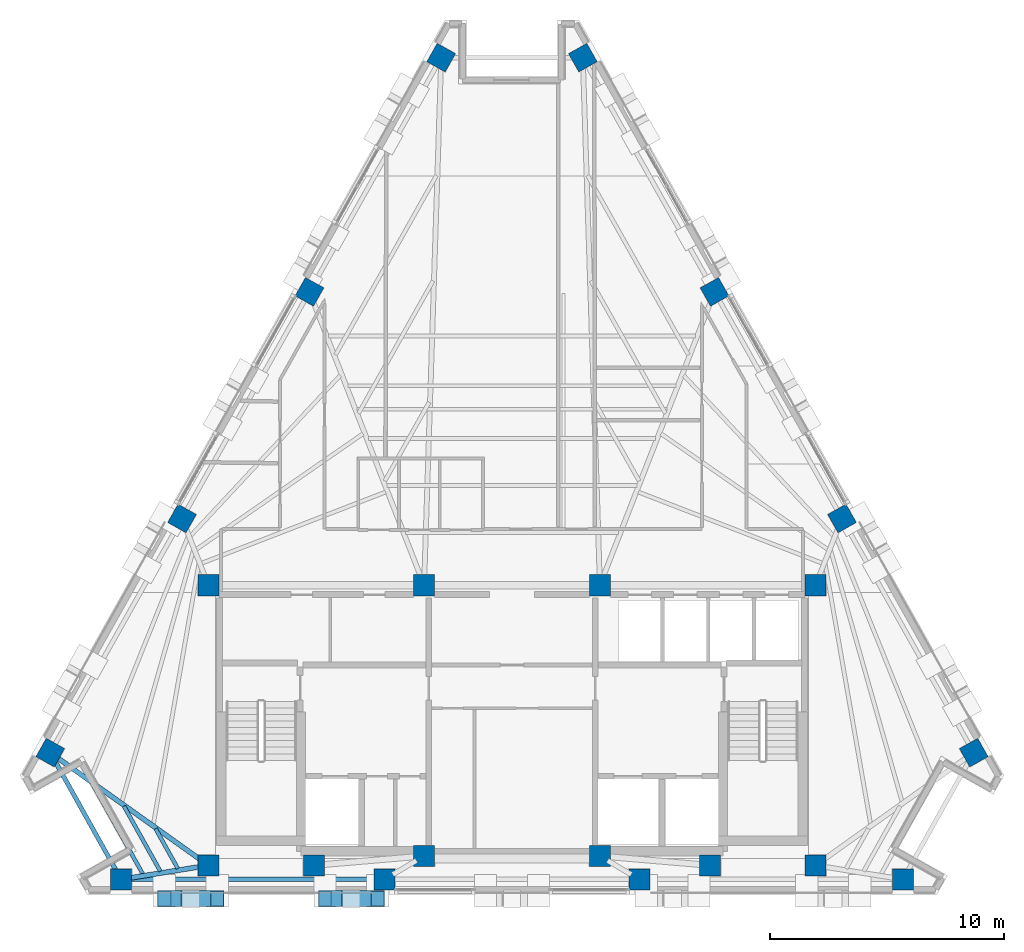
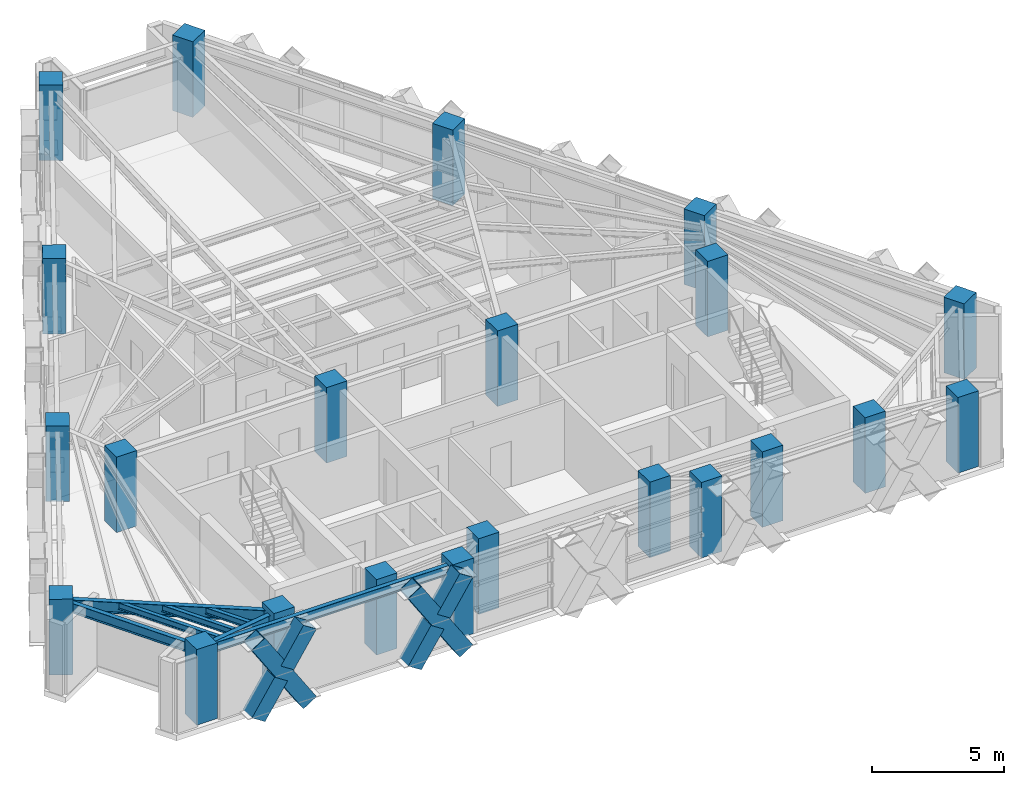
# One storey, part 1 of 12: 22 columns, 7 beams, 6 members.
"""IFC4 building model written with IfcOpenShell, lengths in metres."""

import ifcopenshell
import ifcopenshell.guid

model = None  # the IFC model being written
_history = None  # IfcOwnerHistory: only IFC2X3 demands one
_inside = {}  # id of a spatial element -> (the spatial element, [elements in it])
_under = {}  # id of a project, library or spatial element -> (it, [spatial elements below it])
_declared = {}  # id of a project -> (the project, [libraries it declares])
_typed = {}  # id of a type object -> (the type object, [elements of that type])
_made_of = {}  # id of a material, layer set ... -> (it, [elements and type objects made of it])


def new_model(schema):
    """Start an empty IFC model of exactly this schema.

    Asked for "IFC4X3", IfcOpenShell would pick the latest addendum, in which some entities
    have other attributes; the version numbers below select the first issue.
    IFC2X3 requires an IfcOwnerHistory on every rooted entity: one is made here for all.
    """
    global model, _history
    if schema == "IFC4X3":
        model = ifcopenshell.file(schema_version=(4, 3, 0, 0))
    else:
        model = ifcopenshell.file(schema=schema)
    _inside.clear()
    _under.clear()
    _declared.clear()
    _typed.clear()
    _made_of.clear()
    _history = None
    if model.schema == "IFC2X3":
        org = make("IfcOrganization", Name="unknown")
        user = make(
            "IfcPersonAndOrganization",
            ThePerson=make("IfcPerson", FamilyName="unknown"),
            TheOrganization=org,
        )
        app = make(
            "IfcApplication",
            ApplicationDeveloper=org,
            Version="unknown",
            ApplicationFullName="unknown",
            ApplicationIdentifier="unknown",
        )
        _history = make(
            "IfcOwnerHistory",
            OwningUser=user,
            OwningApplication=app,
            ChangeAction="ADDED",
            CreationDate=0,
        )
    return model


def make(cls, **values):
    """One entity of the class cls with the attributes given. An attribute that is None is left unset."""
    return model.create_entity(
        cls, **{name: value for name, value in values.items() if value is not None}
    )


def rooted(cls, **values):
    """An entity with a GlobalId (a new one), such as an element, a storey or a relation."""
    return make(cls, GlobalId=ifcopenshell.guid.new(), OwnerHistory=_history, **values)


def si_unit(unit_type, name, prefix=None):
    """IfcSIUnit, for example si_unit("LENGTHUNIT", "METRE", prefix="MILLI")."""
    return make("IfcSIUnit", UnitType=unit_type, Prefix=prefix, Name=name)


def assignment(units):
    """IfcUnitAssignment: the units of a project."""
    return None if units is None else make("IfcUnitAssignment", Units=units)


def point(xyz):
    """IfcCartesianPoint."""
    return None if xyz is None else make("IfcCartesianPoint", Coordinates=xyz)


def direction(xyz):
    """IfcDirection."""
    return None if xyz is None else make("IfcDirection", DirectionRatios=xyz)


def frame(location, z_axis=None, x_axis=None):
    """IfcAxis2Placement3D, a coordinate frame: its origin and axes. An axis left out is left unset."""
    return make(
        "IfcAxis2Placement3D",
        Location=point(location),
        Axis=direction(z_axis),
        RefDirection=direction(x_axis),
    )


def frame_2d(location, x_axis=None):
    """IfcAxis2Placement2D, a coordinate frame in the plane: its origin and x axis."""
    return make(
        "IfcAxis2Placement2D", Location=point(location), RefDirection=direction(x_axis)
    )


def origin():
    """The frame at (0, 0, 0) with its axes left unset."""
    return frame((0.0, 0.0, 0.0))


def origin_2d():
    """The frame at (0, 0) in the plane with its x axis left unset."""
    return frame_2d((0.0, 0.0))


def place(relative_to, where):
    """IfcLocalPlacement: puts the frame where relative to a parent placement (None: the world)."""
    return make(
        "IfcLocalPlacement", PlacementRelTo=relative_to, RelativePlacement=where
    )


def context(
    kind, dimensions, precision=None, world=None, true_north=None, identifier=None
):
    """IfcGeometricRepresentationContext, for example the 3D "Model" context."""
    return make(
        "IfcGeometricRepresentationContext",
        ContextIdentifier=identifier,
        ContextType=kind,
        CoordinateSpaceDimension=dimensions,
        Precision=precision,
        WorldCoordinateSystem=world,
        TrueNorth=true_north,
    )


def subcontext(parent, identifier, kind, view, scale=None):
    """IfcGeometricRepresentationSubContext, for example "Body" below "Model"."""
    return make(
        "IfcGeometricRepresentationSubContext",
        ContextIdentifier=identifier,
        ContextType=kind,
        ParentContext=parent,
        TargetScale=scale,
        TargetView=view,
    )


def project(units=None, contexts=None):
    """IfcProject with its units and contexts."""
    return rooted(
        "IfcProject",
        Name="project",
        RepresentationContexts=contexts,
        UnitsInContext=assignment(units),
    )


def spatial(cls, under=None, at=None, **own):
    """A site, building, storey or space (cls), placed at a placement, below another one or the project."""
    s = rooted(cls, ObjectPlacement=at, **own)
    if under is not None:
        _under.setdefault(under.id(), (under, []))[1].append(s)
    return s


def profile(cls, at=None, kind="AREA", **sizes):
    """A parametric profile (cls). Its sizes go by their IFC names, for example OverallWidth=200.0."""
    return make(cls, ProfileType=kind, Position=at, **sizes)


def rectangle(**sizes):
    """IfcRectangleProfileDef."""
    return profile("IfcRectangleProfileDef", **sizes)


def hollow_rectangle(**sizes):
    """IfcRectangleHollowProfileDef."""
    return profile("IfcRectangleHollowProfileDef", **sizes)


def i_section(**sizes):
    """IfcIShapeProfileDef."""
    return profile("IfcIShapeProfileDef", **sizes)


def extrude(swept, where, along, depth):
    """IfcExtrudedAreaSolid: the profile swept, set in the frame where, extruded along a direction by depth."""
    return make(
        "IfcExtrudedAreaSolid",
        SweptArea=swept,
        Position=where,
        ExtrudedDirection=direction(along),
        Depth=depth,
    )


def shape(context_of_items, identifier, shape_type, items):
    """IfcShapeRepresentation: the items that make up one representation, for example the "Body"."""
    return make(
        "IfcShapeRepresentation",
        ContextOfItems=context_of_items,
        RepresentationIdentifier=identifier,
        RepresentationType=shape_type,
        Items=items,
    )


def material(Name=None, Category=None):
    """IfcMaterial."""
    return make("IfcMaterial", Name=Name, Category=Category)


def material_profile(
    of_material, cross_section, Name=None, Category=None, Priority=None
):
    """IfcMaterialProfile: a cross section and its material."""
    return make(
        "IfcMaterialProfile",
        Name=Name,
        Material=of_material,
        Profile=cross_section,
        Priority=Priority,
        Category=Category,
    )


def profile_set(profiles, Name=None, composite=None):
    """IfcMaterialProfileSet."""
    return make(
        "IfcMaterialProfileSet",
        Name=Name,
        MaterialProfiles=profiles,
        CompositeProfile=composite,
    )


def made_of(thing, what):
    """Note that an element or type object is made of a material, layer set ...; save() writes the relation."""
    if what is not None:
        _made_of.setdefault(what.id(), (what, []))[1].append(thing)
    return thing


def type_object(cls, material=None, **own):
    """A type object (cls), such as IfcWallType, which elements share."""
    return made_of(rooted(cls, **own), material)


def element(
    cls,
    number,
    at=None,
    inside=None,
    cuts=None,
    type_object=None,
    material=None,
    context=None,
    identifier="Body",
    shape_type=None,
    held_by="IfcProductDefinitionShape",
    body=None,
    shapes=None,
    **own,
):
    """One element of the class cls, such as IfcWall. Its Tag is "e" and its number.

    at: its placement. inside: the storey or other place that contains it. cuts: it is an
    opening in that element (IfcRelVoidsElement). A single representation is given by context,
    identifier, shape_type and body (its items); several are given by shapes. held_by: the class
    of the entity that holds the representations. save() writes the other relations.
    """
    e = rooted(cls, Tag="e%d" % number, ObjectPlacement=at, **own)
    if body is not None:
        shapes = [shape(context, identifier, shape_type, body)]
    if shapes is not None:
        e.Representation = make(held_by, Representations=shapes)
    if inside is not None:
        _inside.setdefault(inside.id(), (inside, []))[1].append(e)
    if cuts is not None:
        rooted(
            "IfcRelVoidsElement", RelatingBuildingElement=cuts, RelatedOpeningElement=e
        )
    if type_object is not None:
        _typed.setdefault(type_object.id(), (type_object, []))[1].append(e)
    return made_of(e, material)


def aggregate(whole, parts):
    """IfcRelAggregates: a whole, such as a stair, and the parts it consists of."""
    return rooted("IfcRelAggregates", RelatingObject=whole, RelatedObjects=parts)


def save(model, path):
    """Write the relations noted so far, then the file.

    IfcRelAggregates (storeys below a building ...), IfcRelContainedInSpatialStructure (elements
    in a storey), IfcRelDefinesByType, IfcRelAssociatesMaterial and IfcRelDeclares: one each for
    every whole, place, type object, material and project.
    """
    for whole, parts in _under.values():
        aggregate(whole, parts)
    for where, things in _inside.values():
        rooted(
            "IfcRelContainedInSpatialStructure",
            RelatedElements=things,
            RelatingStructure=where,
        )
    for kind, things in _typed.values():
        rooted("IfcRelDefinesByType", RelatedObjects=things, RelatingType=kind)
    for what, things in _made_of.values():
        rooted("IfcRelAssociatesMaterial", RelatedObjects=things, RelatingMaterial=what)
    for by, libraries in _declared.values():
        rooted("IfcRelDeclares", RelatingContext=by, RelatedDefinitions=libraries)
    model.write(path)


model = new_model("IFC4")

# Units and contexts
model_context = context("Model", 3, precision=1e-05, world=origin(), true_north=direction((0.0, 1.0)))
body_context = subcontext(model_context, "Body", "Model", "MODEL_VIEW")
ifc_project = project(units=[si_unit("LENGTHUNIT", "METRE"), si_unit("AREAUNIT", "SQUARE_METRE"), si_unit("VOLUMEUNIT", "CUBIC_METRE"), si_unit("PLANEANGLEUNIT", "RADIAN"), si_unit("MASSUNIT", "GRAM", prefix="KILO")], contexts=[model_context])

# Site, building, storey
site_placement = place(None, origin())
site = spatial("IfcSite", under=ifc_project, at=site_placement, CompositionType="ELEMENT")
building_placement = place(site_placement, origin())
building = spatial("IfcBuilding", under=site, at=building_placement, Name="Quenlor Broadcast Tower", CompositionType="ELEMENT")
storey_placement = place(building_placement, frame((0.0, 0.0, 193.89990234375)))
storey = spatial("IfcBuildingStorey", under=building, at=storey_placement, Name="L53", CompositionType="ELEMENT", Elevation=193.89990234375)

# Columns
ifc_material_1 = material(Name="Concrete C50/60", Category="concrete")
ifc_material_profile_1 = material_profile(ifc_material_1, rectangle(XDim=0.89990234375, YDim=0.89990234375, at=origin_2d()))
ifc_profile_set_1 = profile_set([ifc_material_profile_1], Name="Concrete C50/60 RC900x900")
column_type_1 = type_object("IfcColumnType", Name="Core Corner Column Upper Concrete C50/60 900", PredefinedType="COLUMN", material=ifc_profile_set_1)
for number, where, z_axis, x_axis, name in (
    (1, (-12.949951171875, -16.75, 0.0), (0.0, 0.0, 1.0), (1.0, 0.0, 0.0), "L53 Core Column CC1"),
    (2, (-8.449951171875, -16.75, 0.0), (0.0, 0.0, 1.0), (1.0, 0.0, 0.0), "L53 Core Column CC2"),
    (3, (-3.75, -16.35009765625, 0.0), (0.0, 0.0, 1.0), (1.0, 0.0, 0.0), "L53 Core Column CC3"),
    (4, (3.75, -16.35009765625, 0.0), (0.0, 0.0, 1.0), (1.0, 0.0, 0.0), "L53 Core Column CC4"),
    (5, (8.449951171875, -16.75, 0.0), (0.0, 0.0, 1.0), (1.0, 0.0, 0.0), "L53 Core Column CC5"),
    (6, (12.949951171875, -16.75, 0.0), (0.0, 0.0, 1.0), (1.0, 0.0, 0.0), "L53 Core Column CC6"),
    (7, (-12.949951171875, -4.800048828125, 0.0), (0.0, 0.0, 1.0), (1.0, 0.0, 0.0), "L53 Core Column CC7"),
    (8, (-3.75, -4.800048828125, 0.0), (0.0, 0.0, 1.0), (1.0, 0.0, 0.0), "L53 Core Column CC8"),
    (9, (3.75, -4.800048828125, 0.0), (0.0, 0.0, 1.0), (1.0, 0.0, 0.0), "L53 Core Column CC9"),
    (10, (12.949951171875, -4.800048828125, 0.0), (0.0, 0.0, 1.0), (1.0, 0.0, 0.0), "L53 Core Column CC10"),
):
    element("IfcColumn", number, at=place(storey_placement, frame(where, z_axis=z_axis, x_axis=x_axis)), inside=storey, type_object=column_type_1, Name=name, PredefinedType="COLUMN", context=body_context, shape_type="SweptSolid", body=[
        extrude(rectangle(XDim=0.89990234375, YDim=0.89990234375, at=origin_2d()), origin(), (0.0, 0.0, 1.0), 3.5),
    ])
ifc_material_2 = material(Name="Concrete C50/60", Category="concrete")
ifc_material_profile_2 = material_profile(ifc_material_2, rectangle(XDim=0.89990234375, YDim=0.89990234375, at=origin_2d()))
ifc_profile_set_2 = profile_set([ifc_material_profile_2], Name="Concrete C50/60 RC900x900")
column_type_2 = type_object("IfcColumnType", Name="Tower Perimeter Column Z4 Concrete C50/60 900", PredefinedType="COLUMN", material=ifc_profile_set_2)
for number, where, z_axis, x_axis, name in (
    (11, (-16.67578125, -17.35009765625, 0.0), (0.0, 0.0, 1.0), (0.0, 1.0, 0.0), "L53 Perimeter Column S1"),
    (12, (-5.437744140625, -17.35009765625, 0.0), (0.0, 0.0, 1.0), (0.0, 1.0, 0.0), "L53 Perimeter Column S2"),
    (13, (5.437744140625, -17.35009765625, 0.0), (0.0, 0.0, 1.0), (0.0, 1.0, 0.0), "L53 Perimeter Column S3"),
    (14, (16.67578125, -17.35009765625, 0.0), (0.0, 0.0, 1.0), (0.0, 1.0, 0.0), "L53 Perimeter Column S4"),
    (15, (19.696533203125, -11.941650390625, 0.0), (0.0, 0.0, 1.0), (0.871575139605, 0.490261946333, 0.0), "L53 Perimeter Column NE1"),
    (16, (14.077392578125, -1.952392578125, 0.0), (0.0, 0.0, 1.0), (0.871575139605, 0.490261946333, 0.0), "L53 Perimeter Column NE2"),
    (17, (8.6396484375, 7.71484375, 0.0), (0.0, 0.0, 1.0), (0.871575139605, 0.490261946333, 0.0), "L53 Perimeter Column NE3"),
    (18, (3.0205078125, 17.704345703125, 0.0), (0.0, 0.0, 1.0), (0.871575139605, 0.490261946333, 0.0), "L53 Perimeter Column NE4"),
    (19, (-3.0205078125, 17.704345703125, 0.0), (0.0, 0.0, 1.0), (-0.871575139605, 0.490261946333, 0.0), "L53 Perimeter Column NW1"),
    (20, (-8.6396484375, 7.71484375, 0.0), (0.0, 0.0, 1.0), (-0.871575139605, 0.490261946333, 0.0), "L53 Perimeter Column NW2"),
    (21, (-14.077392578125, -1.952392578125, 0.0), (0.0, 0.0, 1.0), (-0.871575139605, 0.490261946333, 0.0), "L53 Perimeter Column NW3"),
    (22, (-19.696533203125, -11.941650390625, 0.0), (0.0, 0.0, 1.0), (-0.871575139605, 0.490261946333, 0.0), "L53 Perimeter Column NW4"),
):
    element("IfcColumn", number, at=place(storey_placement, frame(where, z_axis=z_axis, x_axis=x_axis)), inside=storey, type_object=column_type_2, Name=name, PredefinedType="COLUMN", context=body_context, shape_type="SweptSolid", body=[
        extrude(rectangle(XDim=0.89990234375, YDim=0.89990234375, at=origin_2d()), origin(), (0.0, 0.0, 1.0), 3.5),
    ])

# Members
ifc_material_3 = material(Name="Steel S355", Category="steel")
ifc_material_profile_3 = material_profile(ifc_material_3, hollow_rectangle(XDim=0.679931640625, YDim=0.679931640625, WallThickness=0.02490234375, at=origin_2d()))
ifc_profile_set_3 = profile_set([ifc_material_profile_3], Name="Steel S355 RHS680x680x25")
member_type = type_object("IfcMemberType", Name="Perimeter Diagonal Lattice Brace Z3-Z4 Steel S355 RHS680x25", PredefinedType="BRACE", material=ifc_profile_set_3)
member_1_placement = place(storey_placement, frame((-5.722412109375, -18.169921875, -0.119873046875), z_axis=(-0.541794306908, 0.0, 0.840511111766), x_axis=(0.0, -1.0, 0.0)))
element("IfcMember", 23, at=member_1_placement, inside=storey, type_object=member_type, Name="L53 Perimeter Diamond Lattice S-C4XA", PredefinedType="BRACE", context=body_context, shape_type="SweptSolid", body=[
    extrude(hollow_rectangle(XDim=0.679931640625, YDim=0.679931640625, WallThickness=0.02490234375, at=origin_2d()), origin(), (0.0, 0.0, 1.0), 4.1640625),
])
member_2_placement = place(storey_placement, frame((-7.978515625, -18.169921875, -0.119873046875), z_axis=(0.54184151587, 0.0, 0.840480678945), x_axis=(0.0, 1.0, 0.0)))
element("IfcMember", 24, at=member_2_placement, inside=storey, type_object=member_type, Name="L53 Perimeter Diamond Lattice S-C4XB1", PredefinedType="BRACE", context=body_context, shape_type="SweptSolid", body=[
    extrude(hollow_rectangle(XDim=0.679931640625, YDim=0.679931640625, WallThickness=0.02490234375, at=origin_2d()), origin(), (0.0, 0.0, 1.0), 1.83203125),
])
member_3_placement = place(storey_placement, frame((-6.715087890625, -18.169921875, 1.840087890625), z_axis=(0.541780832962, 0.0, 0.840519796932), x_axis=(0.0, 1.0, 0.0)))
element("IfcMember", 25, at=member_3_placement, inside=storey, type_object=member_type, Name="L53 Perimeter Diamond Lattice S-C4XB2", PredefinedType="BRACE", context=body_context, shape_type="SweptSolid", body=[
    extrude(hollow_rectangle(XDim=0.679931640625, YDim=0.679931640625, WallThickness=0.02490234375, at=origin_2d()), origin(), (0.0, 0.0, 1.0), 1.832275390625),
])
member_4_placement = place(storey_placement, frame((-12.57275390625, -18.169921875, -0.119873046875), z_axis=(-0.541794306908, 0.0, 0.840511111766), x_axis=(0.0, -1.0, 0.0)))
element("IfcMember", 26, at=member_4_placement, inside=storey, type_object=member_type, Name="L53 Perimeter Diamond Lattice S-C5XA", PredefinedType="BRACE", context=body_context, shape_type="SweptSolid", body=[
    extrude(hollow_rectangle(XDim=0.679931640625, YDim=0.679931640625, WallThickness=0.02490234375, at=origin_2d()), origin(), (0.0, 0.0, 1.0), 4.1640625),
])
member_5_placement = place(storey_placement, frame((-14.828857421875, -18.169921875, -0.119873046875), z_axis=(0.54184151587, 0.0, 0.840480678945), x_axis=(0.0, 1.0, 0.0)))
element("IfcMember", 27, at=member_5_placement, inside=storey, type_object=member_type, Name="L53 Perimeter Diamond Lattice S-C5XB1", PredefinedType="BRACE", context=body_context, shape_type="SweptSolid", body=[
    extrude(hollow_rectangle(XDim=0.679931640625, YDim=0.679931640625, WallThickness=0.02490234375, at=origin_2d()), origin(), (0.0, 0.0, 1.0), 1.83203125),
])
member_6_placement = place(storey_placement, frame((-13.5654296875, -18.169921875, 1.840087890625), z_axis=(0.541780832962, 0.0, 0.840519796932), x_axis=(0.0, 1.0, 0.0)))
element("IfcMember", 28, at=member_6_placement, inside=storey, type_object=member_type, Name="L53 Perimeter Diamond Lattice S-C5XB2", PredefinedType="BRACE", context=body_context, shape_type="SweptSolid", body=[
    extrude(hollow_rectangle(XDim=0.679931640625, YDim=0.679931640625, WallThickness=0.02490234375, at=origin_2d()), origin(), (0.0, 0.0, 1.0), 1.832275390625),
])

# Beams
ifc_material_4 = material(Name="Steel S355", Category="steel")
ifc_material_profile_4 = material_profile(ifc_material_4, i_section(OverallWidth=0.18994140625, OverallDepth=0.453857421875, WebThickness=0.008544921875, FlangeThickness=0.0126953125, FilletRadius=0.011474609375, at=origin_2d()))
ifc_profile_set_4 = profile_set([ifc_material_profile_4], Name="Steel S355 460UB67.1")
beam_type_1 = type_object("IfcBeamType", Name="Perimeter Spandrel Beam Z4 Steel S355 460UB67.1", PredefinedType="SPANDREL", material=ifc_profile_set_4)
beam_1_placement = place(storey_placement, frame((-16.265869140625, -17.35009765625, 3.023193359375), z_axis=(1.0, 0.0, 0.0), x_axis=(0.0, 1.0, 0.0)))
element("IfcBeam", 29, at=beam_1_placement, inside=storey, type_object=beam_type_1, Name="L53 Spandrel Beam S1-S2", PredefinedType="SPANDREL", context=body_context, shape_type="SweptSolid", body=[
    extrude(i_section(OverallWidth=0.18994140625, OverallDepth=0.453857421875, WebThickness=0.008544921875, FlangeThickness=0.0126953125, FilletRadius=0.011474609375, at=origin_2d()), origin(), (0.0, 0.0, 1.0), 10.41796875),
])
beam_2_placement = place(storey_placement, frame((-19.49658203125, -12.2998046875, 3.023193359375), z_axis=(0.487647250206, -0.8730407547, 0.0), x_axis=(0.8730407547, 0.487647250206, 0.0)))
element("IfcBeam", 30, at=beam_2_placement, inside=storey, type_object=beam_type_1, Name="L53 Spandrel Beam NW4-S1", PredefinedType="SPANDREL", context=body_context, shape_type="SweptSolid", body=[
    extrude(i_section(OverallWidth=0.18994140625, OverallDepth=0.453857421875, WebThickness=0.008544921875, FlangeThickness=0.0126953125, FilletRadius=0.011474609375, at=origin_2d()), origin(), (0.0, 0.0, 1.0), 5.37451171875),
])
ifc_material_5 = material(Name="Steel S355", Category="steel")
ifc_material_profile_5 = material_profile(ifc_material_5, i_section(OverallWidth=0.166015625, OverallDepth=0.30712890625, WebThickness=0.006591796875, FlangeThickness=0.01171875, FilletRadius=0.011474609375, at=origin_2d()))
ifc_profile_set_5 = profile_set([ifc_material_profile_5], Name="Steel S355 310UB46.2")
beam_type_2 = type_object("IfcBeamType", Name="Tower Composite Joist Z4-Z5 Steel S355 310UB46.2", PredefinedType="JOIST", material=ifc_profile_set_5)
beam_3_placement = place(storey_placement, frame((-14.255859375, -16.88427734375, 3.096435546875), z_axis=(-0.487590799665, 0.873072283423, 0.0), x_axis=(-0.873072283423, -0.487590799665, 0.0)))
element("IfcBeam", 31, at=beam_3_placement, inside=storey, type_object=beam_type_2, Name="L53 Secondary Composite Joist 19", PredefinedType="JOIST", context=body_context, shape_type="SweptSolid", body=[
    extrude(i_section(OverallWidth=0.166015625, OverallDepth=0.30712890625, WebThickness=0.006591796875, FlangeThickness=0.01171875, FilletRadius=0.011474609375, at=origin_2d()), origin(), (0.0, 0.0, 1.0), 1.9462890625),
])
beam_4_placement = place(storey_placement, frame((-15.0009765625, -17.004150390625, 3.096435546875), z_axis=(-0.487646119388, 0.87304138633, 0.0), x_axis=(-0.87304138633, -0.487646119388, 0.0)))
element("IfcBeam", 32, at=beam_4_placement, inside=storey, type_object=beam_type_2, Name="L53 Secondary Composite Joist 20", PredefinedType="JOIST", context=body_context, shape_type="SweptSolid", body=[
    extrude(i_section(OverallWidth=0.166015625, OverallDepth=0.30712890625, WebThickness=0.006591796875, FlangeThickness=0.01171875, FilletRadius=0.011474609375, at=origin_2d()), origin(), (0.0, 0.0, 1.0), 3.18505859375),
])
beam_5_placement = place(storey_placement, frame((-15.74609375, -17.124267578125, 3.096435546875), z_axis=(-0.487604899573, 0.873064408799, 0.0), x_axis=(-0.873064408799, -0.487604899573, 0.0)))
element("IfcBeam", 33, at=beam_5_placement, inside=storey, type_object=beam_type_2, Name="L53 Secondary Composite Joist 21", PredefinedType="JOIST", context=body_context, shape_type="SweptSolid", body=[
    extrude(i_section(OverallWidth=0.166015625, OverallDepth=0.30712890625, WebThickness=0.006591796875, FlangeThickness=0.01171875, FilletRadius=0.011474609375, at=origin_2d()), origin(), (0.0, 0.0, 1.0), 4.424072265625),
])
ifc_material_6 = material(Name="Steel S355", Category="steel")
ifc_material_profile_6 = material_profile(ifc_material_6, i_section(OverallWidth=0.208984375, OverallDepth=0.5283203125, WebThickness=0.009521484375, FlangeThickness=0.01318359375, FilletRadius=0.013916015625, at=origin_2d()))
ifc_profile_set_6 = profile_set([ifc_material_profile_6], Name="Steel S355 530UB82.0")
beam_type_3 = type_object("IfcBeamType", Name="Tower Primary Floor Beam Z4 Steel S355 530UB82.0", PredefinedType="BEAM", material=ifc_profile_set_6)
beam_6_placement = place(storey_placement, frame((-16.27099609375, -17.284912109375, 2.986083984375), z_axis=(0.987268490875, 0.159062650942, 0.0), x_axis=(-0.159062650942, 0.987268490875, 0.0)))
element("IfcBeam", 34, at=beam_6_placement, inside=storey, type_object=beam_type_3, Name="L53 Primary Radial Beam S1", PredefinedType="BEAM", context=body_context, shape_type="SweptSolid", body=[
    extrude(i_section(OverallWidth=0.208984375, OverallDepth=0.5283203125, WebThickness=0.009521484375, FlangeThickness=0.01318359375, FilletRadius=0.013916015625, at=origin_2d()), origin(), (0.0, 0.0, 1.0), 2.98388671875),
])
beam_7_placement = place(storey_placement, frame((-19.362548828125, -12.1796875, 2.986083984375), z_axis=(0.814329531787, -0.580402802938, 0.0), x_axis=(0.580402802938, 0.814329531787, 0.0)))
element("IfcBeam", 35, at=beam_7_placement, inside=storey, type_object=beam_type_3, Name="L53 Primary Radial Beam NW4", PredefinedType="BEAM", context=body_context, shape_type="SweptSolid", body=[
    extrude(i_section(OverallWidth=0.208984375, OverallDepth=0.5283203125, WebThickness=0.009521484375, FlangeThickness=0.01318359375, FilletRadius=0.013916015625, at=origin_2d()), origin(), (0.0, 0.0, 1.0), 7.49462890625),
])

save(model, "model.ifc")
